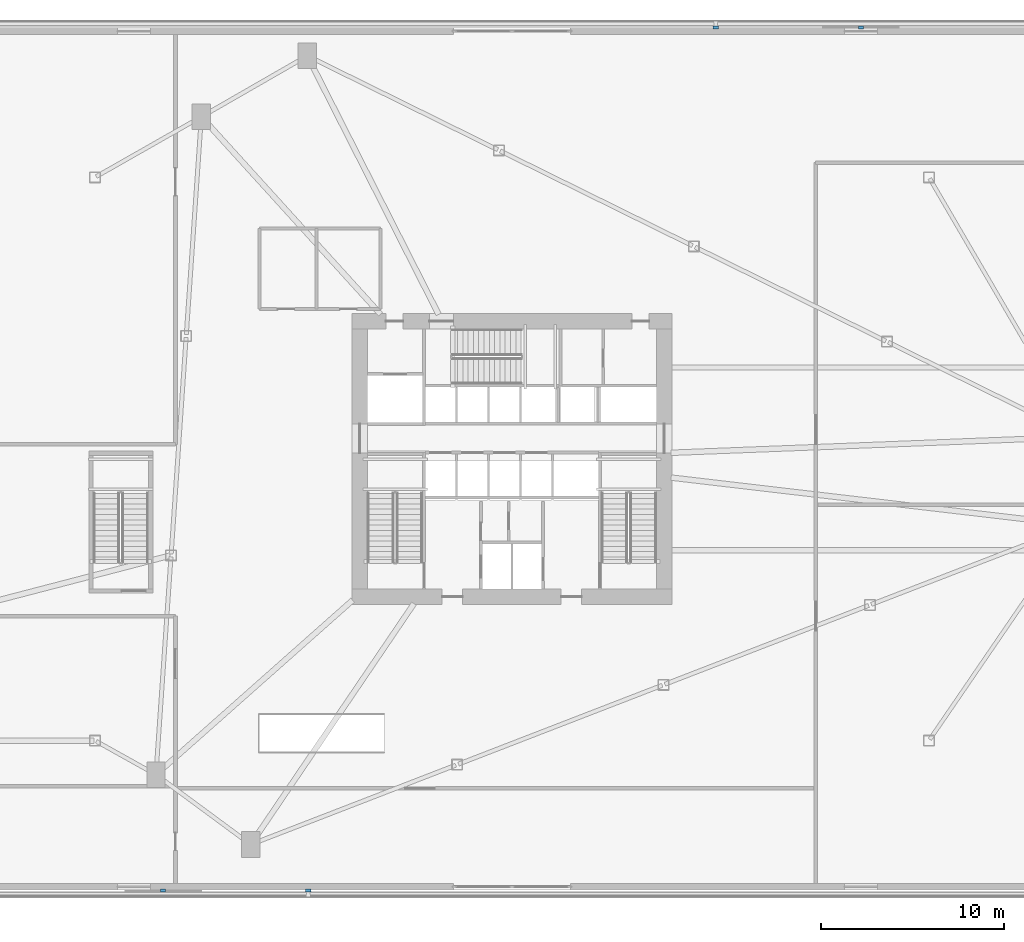
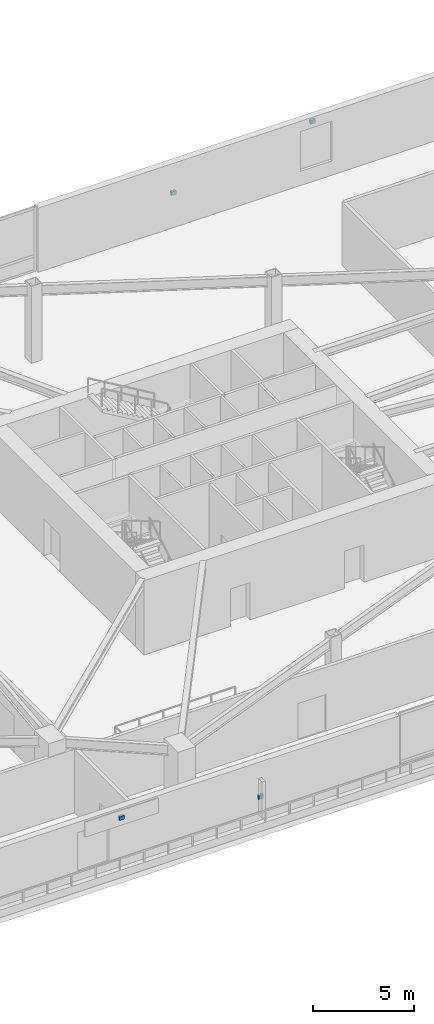
# One storey, part 10 of 14: 4 discrete accessories.
"""IFC4 building model written with IfcOpenShell, lengths in metres."""

from ifc_helpers import new_model, si_unit, direction, frame, origin, origin_2d, place, context, subcontext, project, spatial, rectangle, extrude, source, transform, mapped, material, type_object, element, save


model = new_model("IFC4")

# Units and contexts
model_context = context("Model", 3, precision=1e-05, world=origin(), true_north=direction((0.0, 1.0)))
body_context = subcontext(model_context, "Body", "Model", "MODEL_VIEW")
ifc_project = project(units=[si_unit("LENGTHUNIT", "METRE"), si_unit("AREAUNIT", "SQUARE_METRE"), si_unit("VOLUMEUNIT", "CUBIC_METRE"), si_unit("PLANEANGLEUNIT", "RADIAN"), si_unit("MASSUNIT", "GRAM", prefix="KILO")], contexts=[model_context])

# Site, building, storey
site_placement = place(None, origin())
site = spatial("IfcSite", under=ifc_project, at=site_placement, CompositionType="ELEMENT")
building_placement = place(site_placement, origin())
building = spatial("IfcBuilding", under=site, at=building_placement, Name="Olszyna Solenne Hotel", CompositionType="ELEMENT")
storey_placement = place(building_placement, frame((0.0, 0.0, 5.39990234375)))
storey = spatial("IfcBuildingStorey", under=building, at=storey_placement, Name="L01", CompositionType="ELEMENT", Elevation=5.39990234375)

# Discrete accessories
ifc_material = material(Name="Steel S355J2", Category="steel")
discrete_accessory_type = type_object("IfcDiscreteAccessoryType", Name="BRK-01", PredefinedType="BRACKET", material=ifc_material)
shared_shape = source(origin(), body_context, "Body", "SweptSolid", [
    extrude(rectangle(XDim=0.280029296875, YDim=0.159912109375, at=origin_2d()), origin(), (0.0, 0.0, 1.0), 0.219970703125),
])
for number, where, z_axis, x_axis, name in (
    (1, (18.925048828125, 3.0048828125, 3.2119140625), (0.0, 0.0, 1.0), (-1.0, 0.0, 0.0), "Facade support bracket BRK-CD-L01-SW"),
    (2, (26.862548828125, 3.0048828125, 1.68994140625), (0.0, 0.0, 1.0), (-1.0, 0.0, 0.0), "Facade support bracket BRK-FN-L01-SW"),
    (3, (57.074951171875, 50.195068359375, 3.2119140625), (0.0, 0.0, 1.0), (1.0, 0.0, 0.0), "Facade support bracket BRK-CD-L01-NE"),
    (4, (49.137451171875, 50.195068359375, 1.68994140625), (0.0, 0.0, 1.0), (1.0, 0.0, 0.0), "Facade support bracket BRK-FN-L01-NE"),
):
    element("IfcDiscreteAccessory", number, at=place(storey_placement, frame(where, z_axis=z_axis, x_axis=x_axis)), inside=storey, type_object=discrete_accessory_type, Name=name, PredefinedType="BRACKET", context=body_context, shape_type="MappedRepresentation", body=[
        mapped(shared_shape, transform((0.0, 0.0, 0.0), x_axis=(1.0, 0.0, 0.0), y_axis=(0.0, 1.0, 0.0), z_axis=(0.0, 0.0, 1.0), scale=1.0)),
    ])

save(model, "model.ifc")
